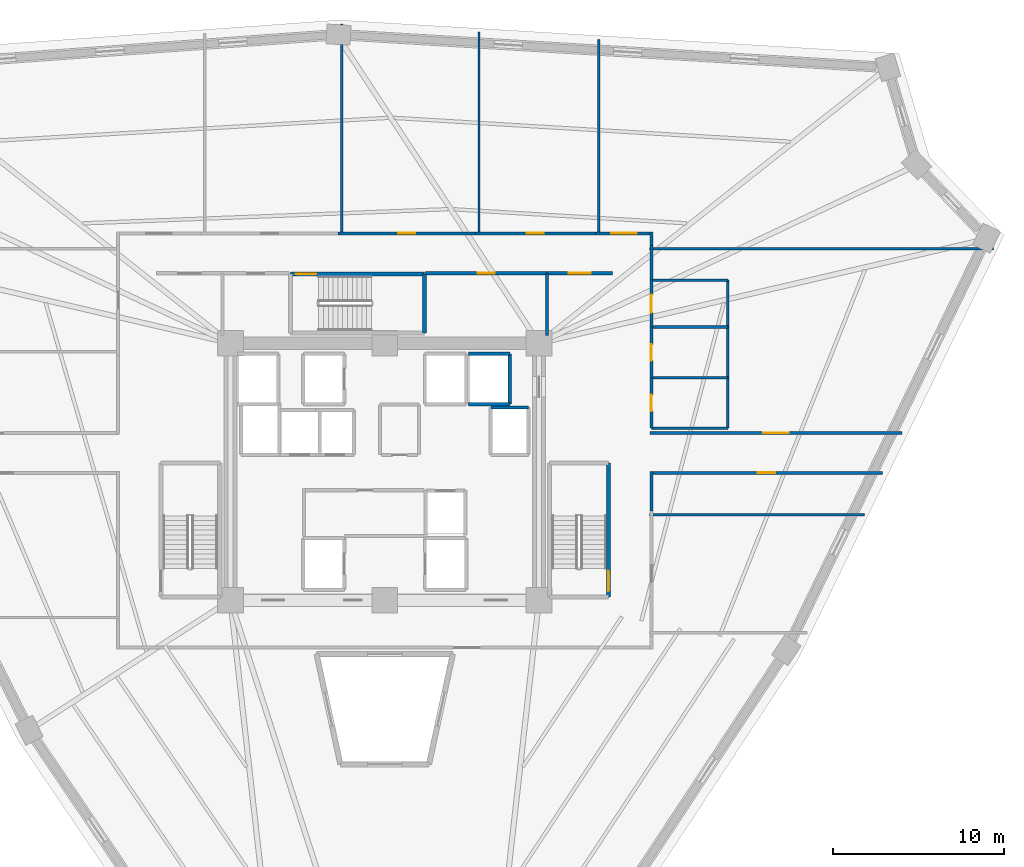
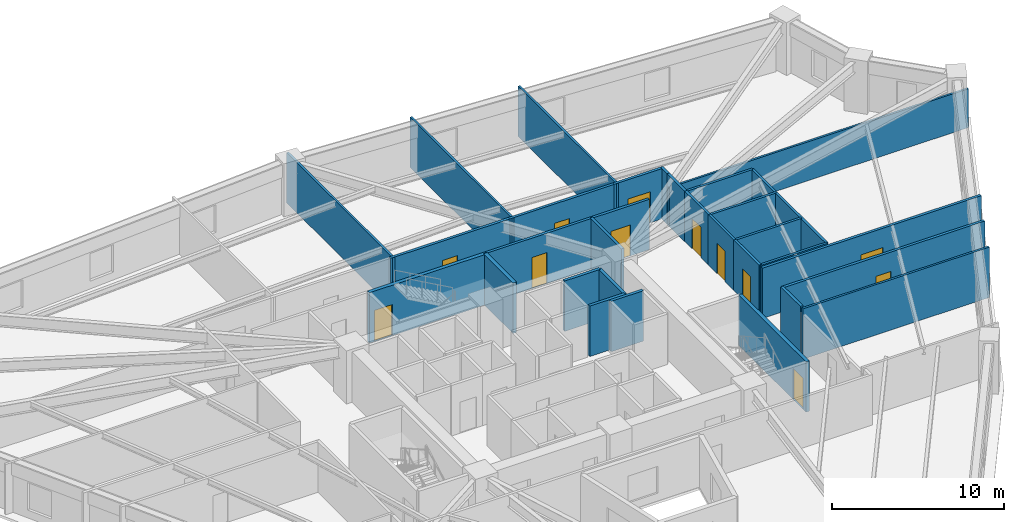
# One storey, part 6 of 8: 31 walls, 12 doors, 12 openings.
"""IFC4 building model written with IfcOpenShell, lengths in metres."""

from ifc_helpers import new_model, si_unit, direction, frame, frame_2d, origin, place, context, subcontext, project, spatial, rectangle, extrude, source, transform, mapped, material, layer, layer_set, type_object, element, fill, save


model = new_model("IFC4")

# Units and contexts
model_context = context("Model", 3, precision=1e-05, world=origin(), true_north=direction((0.0, 1.0)))
body_context = subcontext(model_context, "Body", "Model", "MODEL_VIEW")
ifc_project = project(units=[si_unit("LENGTHUNIT", "METRE"), si_unit("AREAUNIT", "SQUARE_METRE"), si_unit("VOLUMEUNIT", "CUBIC_METRE"), si_unit("PLANEANGLEUNIT", "RADIAN"), si_unit("MASSUNIT", "GRAM", prefix="KILO")], contexts=[model_context])

# Site, building, storey
site_placement = place(None, origin())
site = spatial("IfcSite", under=ifc_project, at=site_placement, CompositionType="ELEMENT")
building_placement = place(site_placement, origin())
building = spatial("IfcBuilding", under=site, at=building_placement, Name="Liaohun Quay Tower", CompositionType="ELEMENT")
storey_placement = place(building_placement, frame((0.0, 0.0, 162.75)))
storey = spatial("IfcBuildingStorey", under=building, at=storey_placement, Name="L42", CompositionType="ELEMENT", Elevation=162.75)

# Wall, opening, door
ifc_material_1 = material(Name="Autoclaved aerated concrete blockwork", Category="masonry")
ifc_layer_1 = layer(ifc_material_1, 0.179931640625, Name="Autoclaved aerated concrete blockwork", Category="masonry")
ifc_layer_set_1 = layer_set([ifc_layer_1], Name="Autoclaved aerated concrete blockwork")
wall_type_1 = type_object("IfcWallType", Name="WAL-PRT-COR", PredefinedType="PARTITIONING", material=ifc_layer_set_1)
wall_1_placement = place(storey_placement, frame((62.389892578125, 65.580078125, 0.0), z_axis=(0.0, 0.0, 1.0), x_axis=(1.0, 0.0, 0.0)))
wall_1 = element("IfcWall", 1, at=wall_1_placement, inside=storey, type_object=wall_type_1, Name="L42 Interior Partition Wall 007", PredefinedType="PARTITIONING", context=body_context, shape_type="SweptSolid", body=[
    extrude(rectangle(XDim=7.070068359375, YDim=0.179931640625, at=frame_2d((3.53515625, 0.0))), origin(), (0.0, 0.0, 1.0), 3.570068359375),
])
shared_shape_1 = source(origin(), body_context, "Body", "SweptSolid", [
    extrude(rectangle(XDim=1.0, YDim=2.199951171875, at=frame_2d((0.5, 1.10009765625))), frame((0.0, 0.099853515625, 0.0), z_axis=(0.0, -1.0, 0.0), x_axis=(1.0, 0.0, 0.0)), (0.0, 0.0, 1.0), 0.199951171875),
])
opening_1_placement = place(wall_1_placement, frame((3.034912109375, 0.0, 0.0)))
opening_1 = element("IfcOpeningElement", 2, at=opening_1_placement, cuts=wall_1, Name="Opening OD1", PredefinedType="OPENING", context=body_context, shape_type="MappedRepresentation", body=[
    mapped(shared_shape_1, transform((0.0, 0.0, 0.0), x_axis=(1.0, 0.0, 0.0), y_axis=(0.0, 1.0, 0.0), z_axis=(0.0, 0.0, 1.0), scale=1.0)),
])
ifc_material_2 = material(Name="Solid-core oak veneer timber leaf in steel frame", Category="steel")
door_type_1 = type_object("IfcDoorType", Name="DOR-OFF-1000", OperationType="NOTDEFINED", PredefinedType="DOOR", material=ifc_material_2)
shared_shape_2 = source(origin(), body_context, "Body", "SweptSolid", [
    extrude(rectangle(XDim=1.0, YDim=2.199951171875, at=frame_2d((0.5, 1.10009765625))), frame((0.0, 0.02490234375, 0.0), z_axis=(0.0, -1.0, 0.0), x_axis=(1.0, 0.0, 0.0)), (0.0, 0.0, 1.0), 0.050048828125),
])
door_1_placement = place(opening_1_placement, origin())
door_1 = element("IfcDoor", 3, at=door_1_placement, inside=storey, type_object=door_type_1, Name="L42 North-East Archive and Mail Room Door", OperationType="SINGLE_SWING_LEFT", OverallHeight=2.199951171875, OverallWidth=1.0, PredefinedType="DOOR", context=body_context, shape_type="MappedRepresentation", body=[
    mapped(shared_shape_2, transform((0.0, 0.0, 0.0), x_axis=(1.0, 0.0, 0.0), y_axis=(0.0, 1.0, 0.0), z_axis=(0.0, 0.0, 1.0), scale=1.0)),
])
fill(opening_1, door_1)

wall_2_placement = place(storey_placement, frame((69.4599609375, 65.580078125, 0.0), z_axis=(0.0, 0.0, 1.0), x_axis=(1.0, 0.0, 0.0)))
wall_2 = element("IfcWall", 4, at=wall_2_placement, inside=storey, type_object=wall_type_1, Name="L42 Interior Partition Wall 009", PredefinedType="PARTITIONING", context=body_context, shape_type="SweptSolid", body=[
    extrude(rectangle(XDim=3.840087890625, YDim=0.179931640625, at=frame_2d((1.919921875, 0.0))), origin(), (0.0, 0.0, 1.0), 3.570068359375),
])
shared_shape_3 = source(origin(), body_context, "Body", "SweptSolid", [
    extrude(rectangle(XDim=1.300048828125, YDim=2.199951171875, at=frame_2d((0.64990234375, 1.10009765625))), frame((0.0, 0.099853515625, 0.0), z_axis=(0.0, -1.0, 0.0), x_axis=(1.0, 0.0, 0.0)), (0.0, 0.0, 1.0), 0.199951171875),
])
opening_2_placement = place(wall_2_placement, frame((1.27001953125, 0.0, 0.0)))
opening_2 = element("IfcOpeningElement", 5, at=opening_2_placement, cuts=wall_2, Name="Opening FD1", PredefinedType="OPENING", context=body_context, shape_type="MappedRepresentation", body=[
    mapped(shared_shape_3, transform((0.0, 0.0, 0.0), x_axis=(1.0, 0.0, 0.0), y_axis=(0.0, 1.0, 0.0), z_axis=(0.0, 0.0, 1.0), scale=1.0)),
])
ifc_material_3 = material(Name="Galvanised steel smokeproof fire door", Category="steel")
door_type_2 = type_object("IfcDoorType", Name="DOR-FFL-1300", OperationType="NOTDEFINED", PredefinedType="DOOR", material=ifc_material_3)
shared_shape_4 = source(origin(), body_context, "Body", "SweptSolid", [
    extrude(rectangle(XDim=1.300048828125, YDim=2.199951171875, at=frame_2d((0.64990234375, 1.10009765625))), frame((0.0, 0.02490234375, 0.0), z_axis=(0.0, -1.0, 0.0), x_axis=(1.0, 0.0, 0.0)), (0.0, 0.0, 1.0), 0.050048828125),
])
door_2_placement = place(opening_2_placement, origin())
door_2 = element("IfcDoor", 6, at=door_2_placement, inside=storey, type_object=door_type_2, Name="L42 East Core Vestibule Door", OperationType="SINGLE_SWING_LEFT", OverallHeight=2.199951171875, OverallWidth=1.300048828125, PredefinedType="DOOR", context=body_context, shape_type="MappedRepresentation", body=[
    mapped(shared_shape_4, transform((0.0, 0.0, 0.0), x_axis=(1.0, 0.0, 0.0), y_axis=(0.0, 1.0, 0.0), z_axis=(0.0, 0.0, 1.0), scale=1.0)),
])
fill(opening_2, door_2)

wall_3_placement = place(storey_placement, frame((75.489990234375, 56.260009765625, 0.0), z_axis=(0.0, 0.0, 1.0), x_axis=(1.0, 0.0, 0.0)))
wall_3 = element("IfcWall", 7, at=wall_3_placement, inside=storey, type_object=wall_type_1, Name="L42 Interior Partition Wall 010", PredefinedType="PARTITIONING", context=body_context, shape_type="SweptSolid", body=[
    extrude(rectangle(XDim=14.694091796875, YDim=0.179931640625, at=frame_2d((7.34716796875, 0.0))), origin(), (0.0, 0.0, 1.0), 3.570068359375),
])
shared_shape_5 = source(origin(), body_context, "Body", "SweptSolid", [
    extrude(rectangle(XDim=1.5, YDim=2.199951171875, at=frame_2d((0.75, 1.10009765625))), frame((0.0, 0.099853515625, 0.0), z_axis=(0.0, -1.0, 0.0), x_axis=(1.0, 0.0, 0.0)), (0.0, 0.0, 1.0), 0.199951171875),
])
opening_3_placement = place(wall_3_placement, frame((6.596923828125, 0.0, 0.0)))
opening_3 = element("IfcOpeningElement", 8, at=opening_3_placement, cuts=wall_3, Name="Opening OD2", PredefinedType="OPENING", context=body_context, shape_type="MappedRepresentation", body=[
    mapped(shared_shape_5, transform((0.0, 0.0, 0.0), x_axis=(1.0, 0.0, 0.0), y_axis=(0.0, 1.0, 0.0), z_axis=(0.0, 0.0, 1.0), scale=1.0)),
])
ifc_material_4 = material(Name="Acoustic oak veneer double door")
door_type_3 = type_object("IfcDoorType", Name="DOR-OFF-1500", OperationType="DOUBLE_DOOR_SINGLE_SWING", PredefinedType="DOOR", material=ifc_material_4)
shared_shape_6 = source(origin(), body_context, "Body", "SweptSolid", [
    extrude(rectangle(XDim=1.5, YDim=2.199951171875, at=frame_2d((0.75, 1.10009765625))), frame((0.0, 0.02490234375, 0.0), z_axis=(0.0, -1.0, 0.0), x_axis=(1.0, 0.0, 0.0)), (0.0, 0.0, 1.0), 0.050048828125),
])
door_3_placement = place(opening_3_placement, origin())
door_3 = element("IfcDoor", 9, at=door_3_placement, inside=storey, type_object=door_type_3, Name="L42 Technical Reference Library 01 Door", OperationType="DOUBLE_DOOR_SINGLE_SWING", OverallHeight=2.199951171875, OverallWidth=1.5, PredefinedType="DOOR", context=body_context, shape_type="MappedRepresentation", body=[
    mapped(shared_shape_6, transform((0.0, 0.0, 0.0), x_axis=(1.0, 0.0, 0.0), y_axis=(0.0, 1.0, 0.0), z_axis=(0.0, 0.0, 1.0), scale=1.0)),
])
fill(opening_3, door_3)

wall_4_placement = place(storey_placement, frame((72.284912109375, 67.909912109375, 0.0), z_axis=(0.0, 0.0, 1.0), x_axis=(1.0, 0.0, 0.0)))
wall_4 = element("IfcWall", 10, at=wall_4_placement, inside=storey, type_object=wall_type_1, Name="L42 Interior Partition Wall 011", PredefinedType="PARTITIONING", context=body_context, shape_type="SweptSolid", body=[
    extrude(rectangle(XDim=3.344970703125, YDim=0.179931640625, at=frame_2d((1.67236328125, 0.0))), origin(), (0.0, 0.0, 1.0), 3.570068359375),
])
opening_4_placement = place(wall_4_placement, frame((0.922119140625, 0.0, 0.0)))
opening_4 = element("IfcOpeningElement", 11, at=opening_4_placement, cuts=wall_4, Name="Opening OD2", PredefinedType="OPENING", context=body_context, shape_type="MappedRepresentation", body=[
    mapped(shared_shape_5, transform((0.0, 0.0, 0.0), x_axis=(1.0, 0.0, 0.0), y_axis=(0.0, 1.0, 0.0), z_axis=(0.0, 0.0, 1.0), scale=1.0)),
])
door_4_placement = place(opening_4_placement, origin())
door_4 = element("IfcDoor", 12, at=door_4_placement, inside=storey, type_object=door_type_3, Name="L42 Client Collaboration Lounge 02 Door", OperationType="DOUBLE_DOOR_SINGLE_SWING", OverallHeight=2.199951171875, OverallWidth=1.5, PredefinedType="DOOR", context=body_context, shape_type="MappedRepresentation", body=[
    mapped(shared_shape_6, transform((0.0, 0.0, 0.0), x_axis=(1.0, 0.0, 0.0), y_axis=(0.0, 1.0, 0.0), z_axis=(0.0, 0.0, 1.0), scale=1.0)),
])
fill(opening_4, door_4)

wall_5_placement = place(storey_placement, frame((65.284912109375, 67.909912109375, 0.0), z_axis=(0.0, 0.0, 1.0), x_axis=(1.0, 0.0, 0.0)))
wall_5 = element("IfcWall", 13, at=wall_5_placement, inside=storey, type_object=wall_type_1, Name="L42 Interior Partition Wall 012", PredefinedType="PARTITIONING", context=body_context, shape_type="SweptSolid", body=[
    extrude(rectangle(XDim=7.0, YDim=0.179931640625, at=frame_2d((3.5, 0.0))), origin(), (0.0, 0.0, 1.0), 3.570068359375),
])
opening_5_placement = place(wall_5_placement, frame((3.0, 0.0, 0.0)))
opening_5 = element("IfcOpeningElement", 14, at=opening_5_placement, cuts=wall_5, Name="Opening OD1", PredefinedType="OPENING", context=body_context, shape_type="MappedRepresentation", body=[
    mapped(shared_shape_1, transform((0.0, 0.0, 0.0), x_axis=(1.0, 0.0, 0.0), y_axis=(0.0, 1.0, 0.0), z_axis=(0.0, 0.0, 1.0), scale=1.0)),
])
door_5_placement = place(opening_5_placement, origin())
door_5 = element("IfcDoor", 15, at=door_5_placement, inside=storey, type_object=door_type_1, Name="L42 Technical Reference Library 03 Door", OperationType="SINGLE_SWING_RIGHT", OverallHeight=2.199951171875, OverallWidth=1.0, PredefinedType="DOOR", context=body_context, shape_type="MappedRepresentation", body=[
    mapped(shared_shape_2, transform((0.0, 0.0, 0.0), x_axis=(1.0, 0.0, 0.0), y_axis=(0.0, 1.0, 0.0), z_axis=(0.0, 0.0, 1.0), scale=1.0)),
])
fill(opening_5, door_5)

wall_6_placement = place(storey_placement, frame((57.284912109375, 67.909912109375, 0.0), z_axis=(0.0, 0.0, 1.0), x_axis=(1.0, 0.0, 0.0)))
wall_6 = element("IfcWall", 16, at=wall_6_placement, inside=storey, type_object=wall_type_1, Name="L42 Interior Partition Wall 013", PredefinedType="PARTITIONING", context=body_context, shape_type="SweptSolid", body=[
    extrude(rectangle(XDim=8.0, YDim=0.179931640625, at=frame_2d((4.0, 0.0))), origin(), (0.0, 0.0, 1.0), 3.570068359375),
])
opening_6_placement = place(wall_6_placement, frame((3.5, 0.0, 0.0)))
opening_6 = element("IfcOpeningElement", 17, at=opening_6_placement, cuts=wall_6, Name="Opening OD1", PredefinedType="OPENING", context=body_context, shape_type="MappedRepresentation", body=[
    mapped(shared_shape_1, transform((0.0, 0.0, 0.0), x_axis=(1.0, 0.0, 0.0), y_axis=(0.0, 1.0, 0.0), z_axis=(0.0, 0.0, 1.0), scale=1.0)),
])
door_6_placement = place(opening_6_placement, origin())
door_6 = element("IfcDoor", 18, at=door_6_placement, inside=storey, type_object=door_type_1, Name="L42 Project Collaboration Studio 04 Door", OperationType="SINGLE_SWING_LEFT", OverallHeight=2.199951171875, OverallWidth=1.0, PredefinedType="DOOR", context=body_context, shape_type="MappedRepresentation", body=[
    mapped(shared_shape_2, transform((0.0, 0.0, 0.0), x_axis=(1.0, 0.0, 0.0), y_axis=(0.0, 1.0, 0.0), z_axis=(0.0, 0.0, 1.0), scale=1.0)),
])
fill(opening_6, door_6)

wall_7_placement = place(storey_placement, frame((89.05810546875, 53.93994140625, 0.0), z_axis=(0.0, 0.0, 1.0), x_axis=(-1.0, 0.0, 0.0)))
wall_7 = element("IfcWall", 19, at=wall_7_placement, inside=storey, type_object=wall_type_1, Name="L42 Interior Partition Wall 021", PredefinedType="PARTITIONING", context=body_context, shape_type="SweptSolid", body=[
    extrude(rectangle(XDim=13.568115234375, YDim=0.179931640625, at=frame_2d((6.7841796875, 0.0))), origin(), (0.0, 0.0, 1.0), 3.570068359375),
])
opening_7_placement = place(wall_7_placement, frame((6.283935546875, 0.0, 0.0)))
opening_7 = element("IfcOpeningElement", 20, at=opening_7_placement, cuts=wall_7, Name="Opening OD1", PredefinedType="OPENING", context=body_context, shape_type="MappedRepresentation", body=[
    mapped(shared_shape_1, transform((0.0, 0.0, 0.0), x_axis=(1.0, 0.0, 0.0), y_axis=(0.0, 1.0, 0.0), z_axis=(0.0, 0.0, 1.0), scale=1.0)),
])
door_7_placement = place(opening_7_placement, origin())
door_7 = element("IfcDoor", 21, at=door_7_placement, inside=storey, type_object=door_type_1, Name="L42 Client Reception Office 12 Door", OperationType="SINGLE_SWING_LEFT", OverallHeight=2.199951171875, OverallWidth=1.0, PredefinedType="DOOR", context=body_context, shape_type="MappedRepresentation", body=[
    mapped(shared_shape_2, transform((0.0, 0.0, 0.0), x_axis=(1.0, 0.0, 0.0), y_axis=(0.0, 1.0, 0.0), z_axis=(0.0, 0.0, 1.0), scale=1.0)),
])
fill(opening_7, door_7)

# Walls
wall_8_placement = place(storey_placement, frame((69.4599609375, 61.949951171875, 0.0), z_axis=(0.0, 0.0, 1.0), x_axis=(0.0, 1.0, 0.0)))
element("IfcWall", 22, at=wall_8_placement, inside=storey, type_object=wall_type_1, Name="L42 Interior Partition Wall 031", PredefinedType="PARTITIONING", context=body_context, shape_type="SweptSolid", body=[
    extrude(rectangle(XDim=3.630126953125, YDim=0.179931640625, at=frame_2d((1.81494140625, 0.0))), origin(), (0.0, 0.0, 1.0), 3.570068359375),
])
wall_9_placement = place(storey_placement, frame((75.56005859375, 67.215087890625, 0.0), z_axis=(0.0, 0.0, 1.0), x_axis=(0.0, -1.0, 0.0)))
element("IfcWall", 23, at=wall_9_placement, inside=storey, type_object=wall_type_1, Name="L42 Interior Partition Wall 032", PredefinedType="PARTITIONING", context=body_context, shape_type="SweptSolid", body=[
    extrude(rectangle(XDim=2.03515625, YDim=0.179931640625, at=frame_2d((1.017578125, 0.0))), origin(), (0.0, 0.0, 1.0), 3.570068359375),
])
wall_10_placement = place(storey_placement, frame((75.56005859375, 67.97998046875, 0.0), z_axis=(0.0, 0.0, 1.0), x_axis=(0.0, -1.0, 0.0)))
element("IfcWall", 24, at=wall_10_placement, inside=storey, type_object=wall_type_1, Name="L42 Interior Partition Wall 033", PredefinedType="PARTITIONING", context=body_context, shape_type="SweptSolid", body=[
    extrude(rectangle(XDim=0.764892578125, YDim=0.179931640625, at=frame_2d((0.38232421875, 0.0))), origin(), (0.0, 0.0, 1.0), 3.570068359375),
])
wall_11_placement = place(storey_placement, frame((75.56005859375, 54.010009765625, 0.0), z_axis=(0.0, 0.0, 1.0), x_axis=(0.0, -1.0, 0.0)))
element("IfcWall", 25, at=wall_11_placement, inside=storey, type_object=wall_type_1, Name="L42 Interior Partition Wall 039", PredefinedType="PARTITIONING", context=body_context, shape_type="SweptSolid", body=[
    extrude(rectangle(XDim=2.294921875, YDim=0.179931640625, at=frame_2d((1.1474609375, 0.0))), origin(), (0.0, 0.0, 1.0), 3.570068359375),
])
ifc_material_5 = material(Name="Gypsum board on twin steel studs", Category="steel")
ifc_layer_2 = layer(ifc_material_5, 0.139892578125, Name="Gypsum board on twin steel studs", Category="steel")
ifc_layer_set_2 = layer_set([ifc_layer_2], Name="Gypsum board on twin steel studs")
wall_type_2 = type_object("IfcWallType", Name="WAL-PRT-OFF", PredefinedType="PARTITIONING", material=ifc_layer_set_2)
wall_12_placement = place(storey_placement, frame((75.4599609375, 51.5, 0.0), z_axis=(0.0, 0.0, 1.0), x_axis=(1.0, 0.0, 0.0)))
element("IfcWall", 26, at=wall_12_placement, inside=storey, type_object=wall_type_2, Name="L42 Interior Partition Wall 044", PredefinedType="PARTITIONING", context=body_context, shape_type="SweptSolid", body=[
    extrude(rectangle(XDim=12.52099609375, YDim=0.139892578125, at=frame_2d((6.260498046875, 0.0))), origin(), (0.0, 0.0, 1.0), 3.570068359375),
])
wall_13_placement = place(storey_placement, frame((75.4599609375, 67.0, 0.0), z_axis=(0.0, 0.0, 1.0), x_axis=(1.0, 0.0, 0.0)))
element("IfcWall", 27, at=wall_13_placement, inside=storey, type_object=wall_type_2, Name="L42 Interior Partition Wall 045", PredefinedType="PARTITIONING", context=body_context, shape_type="SweptSolid", body=[
    extrude(rectangle(XDim=20.046142578125, YDim=0.139892578125, at=frame_2d((10.02294921875, 0.0))), origin(), (0.0, 0.0, 1.0), 2.7548828125),
])
wall_14_placement = place(storey_placement, frame((57.5, 67.81005859375, 0.0), z_axis=(0.0, 0.0, 1.0), x_axis=(0.0, 1.0, 0.0)))
element("IfcWall", 28, at=wall_14_placement, inside=storey, type_object=wall_type_2, Name="L42 Interior Partition Wall 047", PredefinedType="PARTITIONING", context=body_context, shape_type="SweptSolid", body=[
    extrude(rectangle(XDim=12.31494140625, YDim=0.139892578125, at=frame_2d((6.157470703125, 0.0))), origin(), (0.0, 0.0, 1.0), 3.570068359375),
])
wall_15_placement = place(storey_placement, frame((65.5, 67.81005859375, 0.0), z_axis=(0.0, 0.0, 1.0), x_axis=(0.0, 1.0, 0.0)))
element("IfcWall", 29, at=wall_15_placement, inside=storey, type_object=wall_type_2, Name="L42 Interior Partition Wall 048", PredefinedType="PARTITIONING", context=body_context, shape_type="SweptSolid", body=[
    extrude(rectangle(XDim=11.8349609375, YDim=0.139892578125, at=frame_2d((5.91748046875, 0.0))), origin(), (0.0, 0.0, 1.0), 3.570068359375),
])
wall_16_placement = place(storey_placement, frame((72.5, 67.81005859375, 0.0), z_axis=(0.0, 0.0, 1.0), x_axis=(0.0, 1.0, 0.0)))
element("IfcWall", 30, at=wall_16_placement, inside=storey, type_object=wall_type_2, Name="L42 Interior Partition Wall 049", PredefinedType="PARTITIONING", context=body_context, shape_type="SweptSolid", body=[
    extrude(rectangle(XDim=11.416015625, YDim=0.139892578125, at=frame_2d((5.7080078125, 0.0))), origin(), (0.0, 0.0, 1.0), 3.570068359375),
])

# Wall, opening, door
ifc_material_6 = material(Name="Moisture-resistant masonry blockwork", Category="masonry")
ifc_layer_3 = layer(ifc_material_6, 0.159912109375, Name="Moisture-resistant masonry blockwork", Category="masonry")
ifc_layer_set_3 = layer_set([ifc_layer_3], Name="Moisture-resistant masonry blockwork")
wall_type_3 = type_object("IfcWallType", Name="WAL-PRT-WET", PredefinedType="PARTITIONING", material=ifc_layer_set_3)
wall_17_placement = place(storey_placement, frame((75.56005859375, 56.5400390625, 0.0), z_axis=(0.0, 0.0, 1.0), x_axis=(0.0, 1.0, 0.0)))
wall_17 = element("IfcWall", 31, at=wall_17_placement, inside=storey, type_object=wall_type_3, Name="L42 Interior Partition Wall 003", PredefinedType="PARTITIONING", context=body_context, shape_type="SweptSolid", body=[
    extrude(rectangle(XDim=2.93994140625, YDim=0.159912109375, at=frame_2d((1.469970703125, 0.0))), origin(), (0.0, 0.0, 1.0), 3.570068359375),
])
shared_shape_7 = source(origin(), body_context, "Body", "SweptSolid", [
    extrude(rectangle(XDim=0.949951171875, YDim=2.14990234375, at=frame_2d((0.47509765625, 1.074951171875))), frame((0.0, 0.08984375, 0.0), z_axis=(0.0, -1.0, 0.0), x_axis=(1.0, 0.0, 0.0)), (0.0, 0.0, 1.0), 0.179931640625),
])
opening_8_placement = place(wall_17_placement, frame((0.9951171875, 0.0, 0.0)))
opening_8 = element("IfcOpeningElement", 32, at=opening_8_placement, cuts=wall_17, Name="Opening WD1", PredefinedType="OPENING", context=body_context, shape_type="MappedRepresentation", body=[
    mapped(shared_shape_7, transform((0.0, 0.0, 0.0), x_axis=(1.0, 0.0, 0.0), y_axis=(0.0, 1.0, 0.0), z_axis=(0.0, 0.0, 1.0), scale=1.0)),
])
ifc_material_7 = material(Name="Moisture-resistant laminate timber leaf", Category="wood")
door_type_4 = type_object("IfcDoorType", Name="DOR-WC-950", OperationType="NOTDEFINED", PredefinedType="DOOR", material=ifc_material_7)
shared_shape_8 = source(origin(), body_context, "Body", "SweptSolid", [
    extrude(rectangle(XDim=0.949951171875, YDim=2.14990234375, at=frame_2d((0.47509765625, 1.074951171875))), frame((0.0, 0.02490234375, 0.0), z_axis=(0.0, -1.0, 0.0), x_axis=(1.0, 0.0, 0.0)), (0.0, 0.0, 1.0), 0.050048828125),
])
door_8_placement = place(opening_8_placement, origin())
door_8 = element("IfcDoor", 33, at=door_8_placement, inside=storey, type_object=door_type_4, Name="L42 Male Restroom WC Door", OperationType="SINGLE_SWING_LEFT", OverallHeight=2.14990234375, OverallWidth=0.949951171875, PredefinedType="DOOR", context=body_context, shape_type="MappedRepresentation", body=[
    mapped(shared_shape_8, transform((0.0, 0.0, 0.0), x_axis=(1.0, 0.0, 0.0), y_axis=(0.0, 1.0, 0.0), z_axis=(0.0, 0.0, 1.0), scale=1.0)),
])
fill(opening_8, door_8)

wall_18_placement = place(storey_placement, frame((75.56005859375, 59.47998046875, 0.0), z_axis=(0.0, 0.0, 1.0), x_axis=(0.0, 1.0, 0.0)))
wall_18 = element("IfcWall", 34, at=wall_18_placement, inside=storey, type_object=wall_type_3, Name="L42 Interior Partition Wall 004", PredefinedType="PARTITIONING", context=body_context, shape_type="SweptSolid", body=[
    extrude(rectangle(XDim=2.9599609375, YDim=0.159912109375, at=frame_2d((1.47998046875, 0.0))), origin(), (0.0, 0.0, 1.0), 3.570068359375),
])
opening_9_placement = place(wall_18_placement, frame((1.0048828125, 0.0, 0.0)))
opening_9 = element("IfcOpeningElement", 35, at=opening_9_placement, cuts=wall_18, Name="Opening WD1", PredefinedType="OPENING", context=body_context, shape_type="MappedRepresentation", body=[
    mapped(shared_shape_7, transform((0.0, 0.0, 0.0), x_axis=(1.0, 0.0, 0.0), y_axis=(0.0, 1.0, 0.0), z_axis=(0.0, 0.0, 1.0), scale=1.0)),
])
door_9_placement = place(opening_9_placement, origin())
door_9 = element("IfcDoor", 36, at=door_9_placement, inside=storey, type_object=door_type_4, Name="L42 Female Restroom WC Door", OperationType="SINGLE_SWING_RIGHT", OverallHeight=2.14990234375, OverallWidth=0.949951171875, PredefinedType="DOOR", context=body_context, shape_type="MappedRepresentation", body=[
    mapped(shared_shape_8, transform((0.0, 0.0, 0.0), x_axis=(1.0, 0.0, 0.0), y_axis=(0.0, 1.0, 0.0), z_axis=(0.0, 0.0, 1.0), scale=1.0)),
])
fill(opening_9, door_9)

wall_19_placement = place(storey_placement, frame((75.56005859375, 62.43994140625, 0.0), z_axis=(0.0, 0.0, 1.0), x_axis=(0.0, 1.0, 0.0)))
wall_19 = element("IfcWall", 37, at=wall_19_placement, inside=storey, type_object=wall_type_3, Name="L42 Interior Partition Wall 005", PredefinedType="PARTITIONING", context=body_context, shape_type="SweptSolid", body=[
    extrude(rectangle(XDim=2.739990234375, YDim=0.159912109375, at=frame_2d((1.3701171875, 0.0))), origin(), (0.0, 0.0, 1.0), 3.570068359375),
])
shared_shape_9 = source(origin(), body_context, "Body", "SweptSolid", [
    extrude(rectangle(XDim=1.050048828125, YDim=2.14990234375, at=frame_2d((0.52490234375, 1.074951171875))), frame((0.0, 0.08984375, 0.0), z_axis=(0.0, -1.0, 0.0), x_axis=(1.0, 0.0, 0.0)), (0.0, 0.0, 1.0), 0.179931640625),
])
opening_10_placement = place(wall_19_placement, frame((0.844970703125, 0.0, 0.0)))
opening_10 = element("IfcOpeningElement", 38, at=opening_10_placement, cuts=wall_19, Name="Opening WD2", PredefinedType="OPENING", context=body_context, shape_type="MappedRepresentation", body=[
    mapped(shared_shape_9, transform((0.0, 0.0, 0.0), x_axis=(1.0, 0.0, 0.0), y_axis=(0.0, 1.0, 0.0), z_axis=(0.0, 0.0, 1.0), scale=1.0)),
])
ifc_material_8 = material(Name="Accessible outward-swinging laminate door")
door_type_5 = type_object("IfcDoorType", Name="DOR-AWC-1050", OperationType="NOTDEFINED", PredefinedType="DOOR", material=ifc_material_8)
shared_shape_10 = source(origin(), body_context, "Body", "SweptSolid", [
    extrude(rectangle(XDim=1.050048828125, YDim=2.14990234375, at=frame_2d((0.52490234375, 1.074951171875))), frame((0.0, 0.02490234375, 0.0), z_axis=(0.0, -1.0, 0.0), x_axis=(1.0, 0.0, 0.0)), (0.0, 0.0, 1.0), 0.050048828125),
])
door_10_placement = place(opening_10_placement, origin())
door_10 = element("IfcDoor", 39, at=door_10_placement, inside=storey, type_object=door_type_5, Name="L42 Accessible WC Door", OperationType="SINGLE_SWING_LEFT", OverallHeight=2.14990234375, OverallWidth=1.050048828125, PredefinedType="DOOR", context=body_context, shape_type="MappedRepresentation", body=[
    mapped(shared_shape_10, transform((0.0, 0.0, 0.0), x_axis=(1.0, 0.0, 0.0), y_axis=(0.0, 1.0, 0.0), z_axis=(0.0, 0.0, 1.0), scale=1.0)),
])
fill(opening_10, door_10)

# Walls
wall_20_placement = place(storey_placement, frame((80.02001953125, 56.5400390625, 0.0), z_axis=(0.0, 0.0, 1.0), x_axis=(0.0, 1.0, 0.0)))
element("IfcWall", 40, at=wall_20_placement, inside=storey, type_object=wall_type_3, Name="L42 Interior Partition Wall 025", PredefinedType="PARTITIONING", context=body_context, shape_type="SweptSolid", body=[
    extrude(rectangle(XDim=8.639892578125, YDim=0.159912109375, at=frame_2d((4.31982421875, 0.0))), origin(), (0.0, 0.0, 1.0), 3.570068359375),
])
for number, where, z_axis, x_axis, name in (
    (41, (75.56005859375, 56.5400390625, 0.0), (0.0, 0.0, 1.0), (1.0, 0.0, 0.0), "L42 Interior Partition Wall 026"),
    (42, (75.56005859375, 59.47998046875, 0.0), (0.0, 0.0, 1.0), (1.0, 0.0, 0.0), "L42 Interior Partition Wall 027"),
    (43, (75.56005859375, 62.43994140625, 0.0), (0.0, 0.0, 1.0), (1.0, 0.0, 0.0), "L42 Interior Partition Wall 028"),
    (44, (75.56005859375, 65.179931640625, 0.0), (0.0, 0.0, 1.0), (1.0, 0.0, 0.0), "L42 Interior Partition Wall 029"),
):
    element("IfcWall", number, at=place(storey_placement, frame(where, z_axis=z_axis, x_axis=x_axis)), inside=storey, type_object=wall_type_3, Name=name, PredefinedType="PARTITIONING", context=body_context, shape_type="SweptSolid", body=[
        extrude(rectangle(XDim=4.4599609375, YDim=0.159912109375, at=frame_2d((2.22998046875, 0.0))), origin(), (0.0, 0.0, 1.0), 3.570068359375),
    ])

# Wall, opening, door
ifc_material_9 = material(Name="Concrete C50", Category="concrete")
ifc_layer_4 = layer(ifc_material_9, 0.239990234375, Name="Concrete C50", Category="concrete")
ifc_layer_set_4 = layer_set([ifc_layer_4], Name="Concrete C50")
wall_type_4 = type_object("IfcWallType", Name="WAL-SHF-200", PredefinedType="SOLIDWALL", material=ifc_layer_set_4)
wall_21_placement = place(storey_placement, frame((73.06005859375, 46.699951171875, 0.0), z_axis=(0.0, 0.0, 1.0), x_axis=(0.0, 1.0, 0.0)))
wall_21 = element("IfcWall", 45, at=wall_21_placement, inside=storey, type_object=wall_type_4, Name="L42 Stairwell ST-2 Structural Core Wall E", PredefinedType="SOLIDWALL", context=body_context, shape_type="SweptSolid", body=[
    extrude(rectangle(XDim=7.820068359375, YDim=0.239990234375, at=frame_2d((3.91015625, 0.0))), origin(), (0.0, 0.0, 1.0), 3.570068359375),
])
shared_shape_11 = source(origin(), body_context, "Body", "SweptSolid", [
    extrude(rectangle(XDim=1.199951171875, YDim=2.199951171875, at=frame_2d((0.60009765625, 1.10009765625))), frame((0.0, 0.1298828125, 0.0), z_axis=(0.0, -1.0, 0.0), x_axis=(1.0, 0.0, 0.0)), (0.0, 0.0, 1.0), 0.260009765625),
])
opening_11_placement = place(wall_21_placement, frame((0.320068359375, 0.0, 0.0)))
opening_11 = element("IfcOpeningElement", 46, at=opening_11_placement, cuts=wall_21, Name="Opening SD1", PredefinedType="OPENING", context=body_context, shape_type="MappedRepresentation", body=[
    mapped(shared_shape_11, transform((0.0, 0.0, 0.0), x_axis=(1.0, 0.0, 0.0), y_axis=(0.0, 1.0, 0.0), z_axis=(0.0, 0.0, 1.0), scale=1.0)),
])
ifc_material_10 = material(Name="Galvanised steel fire door", Category="steel")
door_type_6 = type_object("IfcDoorType", Name="DOR-STR-1200", OperationType="NOTDEFINED", PredefinedType="DOOR", material=ifc_material_10)
shared_shape_12 = source(origin(), body_context, "Body", "SweptSolid", [
    extrude(rectangle(XDim=1.199951171875, YDim=2.199951171875, at=frame_2d((0.60009765625, 1.10009765625))), frame((0.0, 0.02490234375, 0.0), z_axis=(0.0, -1.0, 0.0), x_axis=(1.0, 0.0, 0.0)), (0.0, 0.0, 1.0), 0.050048828125),
])
door_11_placement = place(opening_11_placement, origin())
door_11 = element("IfcDoor", 47, at=door_11_placement, inside=storey, type_object=door_type_6, Name="L42 Protected Stair ST-2 Fire Door", OperationType="SINGLE_SWING_RIGHT", OverallHeight=2.199951171875, OverallWidth=1.199951171875, PredefinedType="DOOR", context=body_context, shape_type="MappedRepresentation", body=[
    mapped(shared_shape_12, transform((0.0, 0.0, 0.0), x_axis=(1.0, 0.0, 0.0), y_axis=(0.0, 1.0, 0.0), z_axis=(0.0, 0.0, 1.0), scale=1.0)),
])
fill(opening_11, door_11)

# Wall
wall_22_placement = place(storey_placement, frame((62.320068359375, 62.10009765625, 0.0), z_axis=(0.0, 0.0, 1.0), x_axis=(0.0, 1.0, 0.0)))
element("IfcWall", 48, at=wall_22_placement, inside=storey, type_object=wall_type_4, Name="L42 Stairwell ST-3 Structural Core Wall E", PredefinedType="SOLIDWALL", context=body_context, shape_type="SweptSolid", body=[
    extrude(rectangle(XDim=3.43994140625, YDim=0.239990234375, at=frame_2d((1.719970703125, 0.0))), origin(), (0.0, 0.0, 1.0), 3.570068359375),
])

# Wall, opening, door
wall_23_placement = place(storey_placement, frame((62.320068359375, 65.5400390625, 0.0), z_axis=(0.0, 0.0, 1.0), x_axis=(-1.0, 0.0, 0.0)))
wall_23 = element("IfcWall", 49, at=wall_23_placement, inside=storey, type_object=wall_type_4, Name="L42 Stairwell ST-3 Structural Core Wall N", PredefinedType="SOLIDWALL", context=body_context, shape_type="SweptSolid", body=[
    extrude(rectangle(XDim=7.820068359375, YDim=0.239990234375, at=frame_2d((3.91015625, 0.0))), origin(), (0.0, 0.0, 1.0), 3.570068359375),
])
opening_12_placement = place(wall_23_placement, frame((6.300048828125, 0.0, 0.0)))
opening_12 = element("IfcOpeningElement", 50, at=opening_12_placement, cuts=wall_23, Name="Opening SD1", PredefinedType="OPENING", context=body_context, shape_type="MappedRepresentation", body=[
    mapped(shared_shape_11, transform((0.0, 0.0, 0.0), x_axis=(1.0, 0.0, 0.0), y_axis=(0.0, 1.0, 0.0), z_axis=(0.0, 0.0, 1.0), scale=1.0)),
])
door_12_placement = place(opening_12_placement, origin())
door_12 = element("IfcDoor", 51, at=door_12_placement, inside=storey, type_object=door_type_6, Name="L42 Protected Stair ST-3 Fire Door", OperationType="SINGLE_SWING_RIGHT", OverallHeight=2.199951171875, OverallWidth=1.199951171875, PredefinedType="DOOR", context=body_context, shape_type="MappedRepresentation", body=[
    mapped(shared_shape_12, transform((0.0, 0.0, 0.0), x_axis=(1.0, 0.0, 0.0), y_axis=(0.0, 1.0, 0.0), z_axis=(0.0, 0.0, 1.0), scale=1.0)),
])
fill(opening_12, door_12)

# Walls
wall_24_placement = place(storey_placement, frame((64.89990234375, 57.949951171875, 0.0), z_axis=(0.0, 0.0, 1.0), x_axis=(1.0, 0.0, 0.0)))
element("IfcWall", 52, at=wall_24_placement, inside=storey, type_object=wall_type_4, Name="L42 Lift OB-02 Hoistway Wall S", PredefinedType="SOLIDWALL", context=body_context, shape_type="SweptSolid", body=[
    extrude(rectangle(XDim=2.400146484375, YDim=0.199951171875, at=frame_2d((1.2001953125, 0.0))), origin(), (0.0, 0.0, 1.0), 3.570068359375),
])
wall_25_placement = place(storey_placement, frame((67.300048828125, 57.949951171875, 0.0), z_axis=(0.0, 0.0, 1.0), x_axis=(0.0, 1.0, 0.0)))
element("IfcWall", 53, at=wall_25_placement, inside=storey, type_object=wall_type_4, Name="L42 Lift OB-02 Hoistway Wall E", PredefinedType="SOLIDWALL", context=body_context, shape_type="SweptSolid", body=[
    extrude(rectangle(XDim=2.929931640625, YDim=0.199951171875, at=frame_2d((1.46484375, 0.0))), origin(), (0.0, 0.0, 1.0), 3.570068359375),
])
wall_26_placement = place(storey_placement, frame((67.300048828125, 60.8798828125, 0.0), z_axis=(0.0, 0.0, 1.0), x_axis=(-1.0, 0.0, 0.0)))
element("IfcWall", 54, at=wall_26_placement, inside=storey, type_object=wall_type_4, Name="L42 Lift OB-02 Hoistway Wall N", PredefinedType="SOLIDWALL", context=body_context, shape_type="SweptSolid", body=[
    extrude(rectangle(XDim=2.400146484375, YDim=0.199951171875, at=frame_2d((1.2001953125, 0.0))), origin(), (0.0, 0.0, 1.0), 3.570068359375),
])
wall_27_placement = place(storey_placement, frame((68.3798828125, 57.75, 0.0), z_axis=(0.0, 0.0, 1.0), x_axis=(-1.0, 0.0, 0.0)))
element("IfcWall", 55, at=wall_27_placement, inside=storey, type_object=wall_type_4, Name="L42 Lift SH-03 Hoistway Wall N", PredefinedType="SOLIDWALL", context=body_context, shape_type="SweptSolid", body=[
    extrude(rectangle(XDim=2.179931640625, YDim=0.199951171875, at=frame_2d((1.08984375, 0.0))), origin(), (0.0, 0.0, 1.0), 3.570068359375),
])

save(model, "model.ifc")
